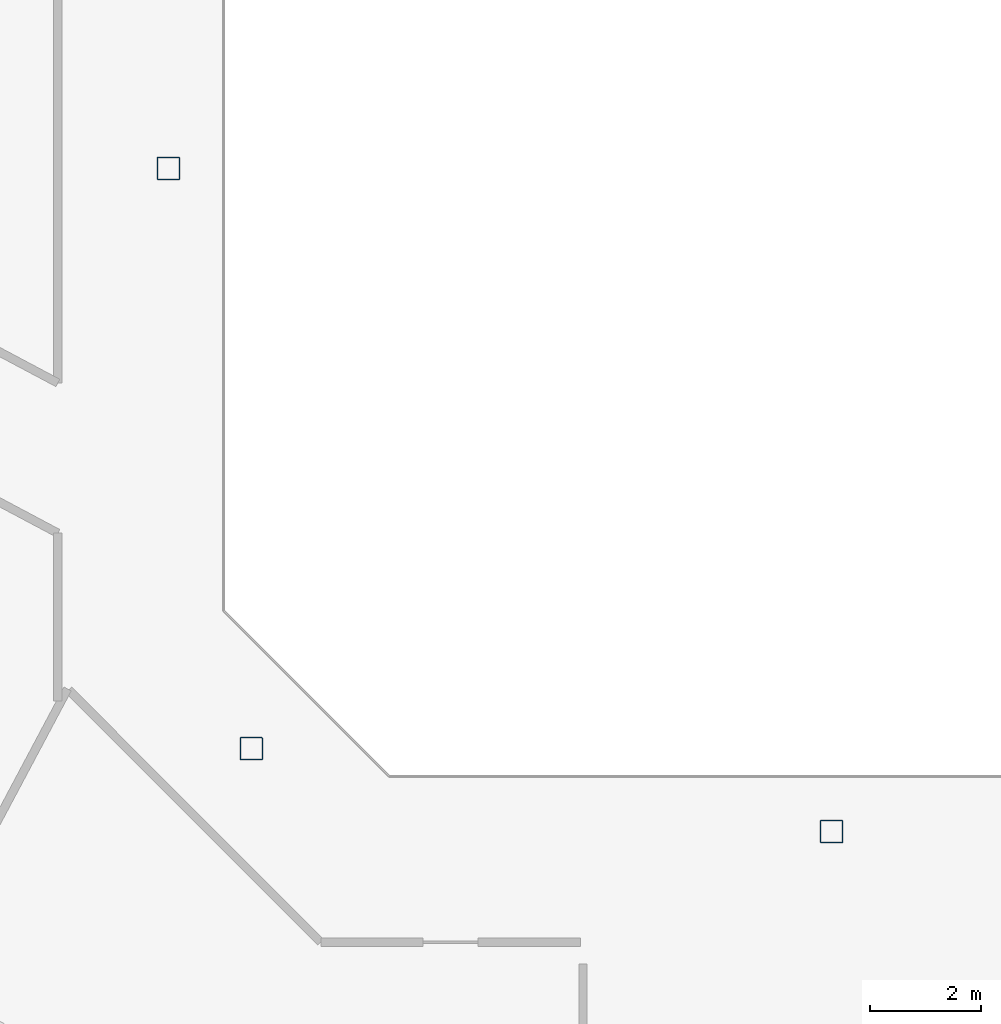
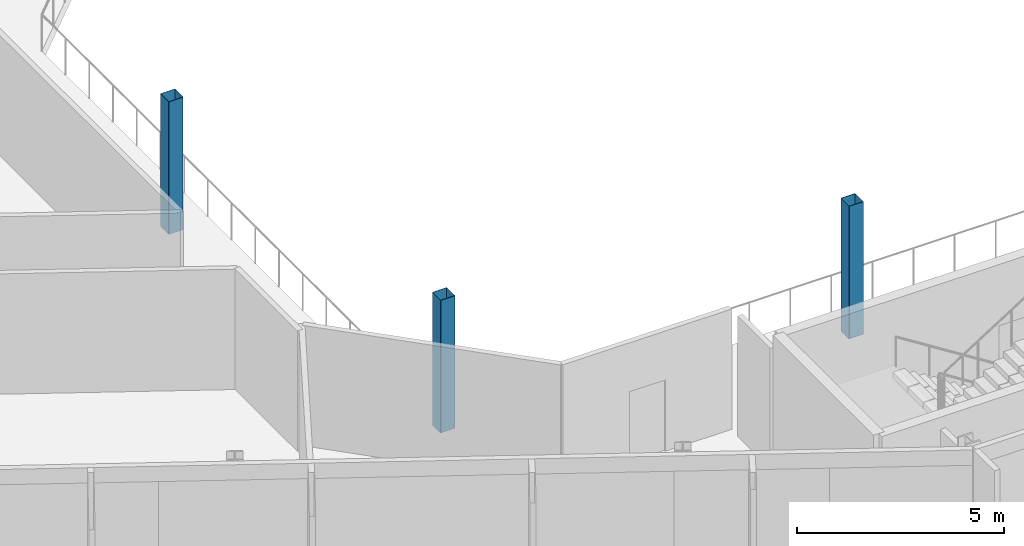
# One storey, part 2 of 25: 3 columns.
"""IFC4 building model written with IfcOpenShell, lengths in metres."""

from ifc_helpers import new_model, si_unit, direction, frame, origin, origin_2d, place, context, subcontext, project, spatial, hollow_rectangle, extrude, material, material_profile, profile_set, type_object, element, save


model = new_model("IFC4")

# Units and contexts
model_context = context("Model", 3, precision=1e-05, world=origin(), true_north=direction((0.0, 1.0)))
body_context = subcontext(model_context, "Body", "Model", "MODEL_VIEW")
ifc_project = project(units=[si_unit("LENGTHUNIT", "METRE"), si_unit("AREAUNIT", "SQUARE_METRE"), si_unit("VOLUMEUNIT", "CUBIC_METRE"), si_unit("PLANEANGLEUNIT", "RADIAN"), si_unit("MASSUNIT", "GRAM", prefix="KILO")], contexts=[model_context])

# Site, building, storey
site_placement = place(None, origin())
site = spatial("IfcSite", under=ifc_project, at=site_placement, CompositionType="ELEMENT")
building_placement = place(site_placement, origin())
building = spatial("IfcBuilding", under=site, at=building_placement, Name="Cormorant Relay Tower", CompositionType="ELEMENT")
storey_placement = place(building_placement, frame((0.0, 0.0, 265.800048828125)))
storey = spatial("IfcBuildingStorey", under=building, at=storey_placement, Name="L59", CompositionType="ELEMENT", Elevation=265.800048828125)

# Columns
ifc_material = material(Name="Steel ASTM A500 Grade C (Fy 345 MPa)", Category="steel")
ifc_material_profile = material_profile(ifc_material, hollow_rectangle(XDim=0.406494140625, YDim=0.406494140625, WallThickness=0.0087890625, InnerFilletRadius=0.00439453125, OuterFilletRadius=0.01318359375, at=origin_2d()), Name="HSS406x406x9")
ifc_profile_set = profile_set([ifc_material_profile], Name="Steel ASTM A500 Grade C (Fy 345 MPa)")
column_type = type_object("IfcColumnType", Name="Column HSS406x406x9", PredefinedType="COLUMN", material=ifc_profile_set)
for number, where, z_axis, x_axis, name in (
    (1, (0.0, -12.0, 0.0), (0.0, 0.0, 1.0), (1.0, 0.0, 0.0), "Column L59-007"),
    (2, (-10.5, -10.5, 0.0), (0.0, 0.0, 1.0), (1.0, 0.0, 0.0), "Column L59-009"),
    (3, (-12.0, 0.0, 0.0), (0.0, 0.0, 1.0), (1.0, 0.0, 0.0), "Column L59-015"),
):
    element("IfcColumn", number, at=place(storey_placement, frame(where, z_axis=z_axis, x_axis=x_axis)), inside=storey, type_object=column_type, Name=name, PredefinedType="COLUMN", context=body_context, shape_type="SweptSolid", body=[
        extrude(hollow_rectangle(XDim=0.406494140625, YDim=0.406494140625, WallThickness=0.0087890625, InnerFilletRadius=0.00439453125, OuterFilletRadius=0.01318359375, at=origin_2d()), origin(), (0.0, 0.0, 1.0), 3.89990234375),
    ])

save(model, "model.ifc")
